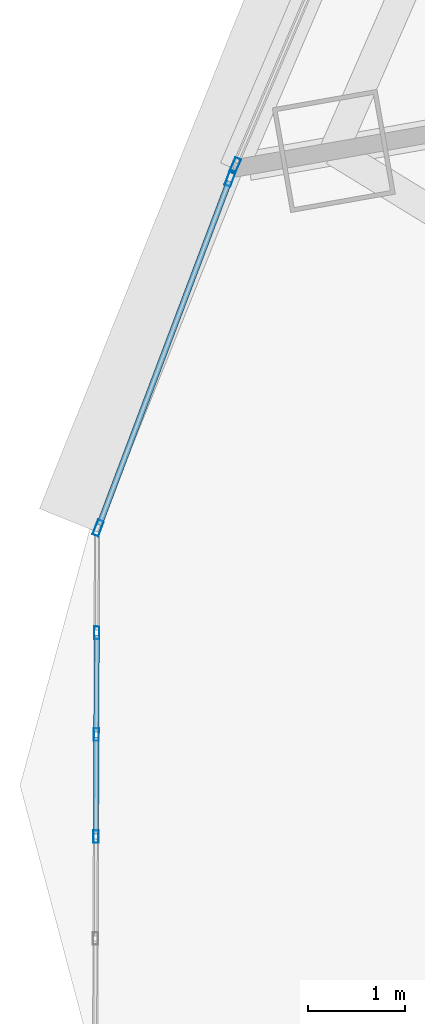
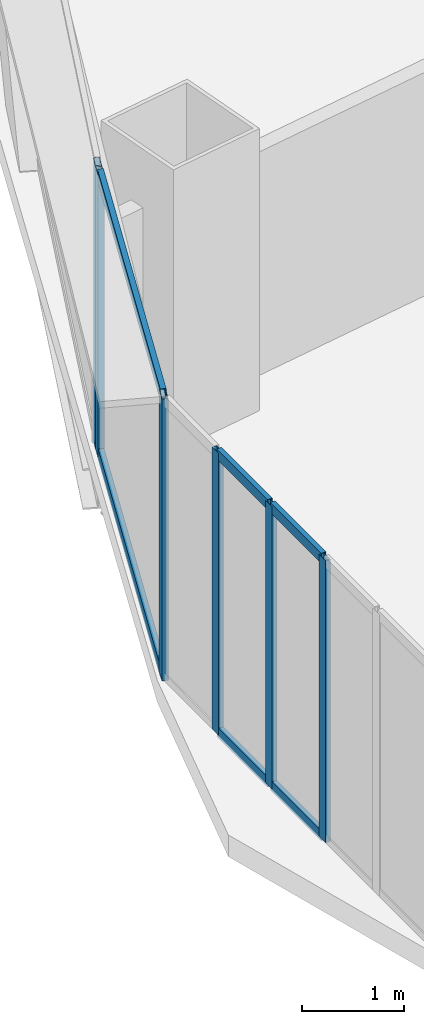
# One storey, part 4 of 40: 12 members, 3 elements without a shape of their own.
"""IFC4 building model written with IfcOpenShell, lengths in metres."""

import ifcopenshell
import ifcopenshell.guid

model = None  # the IFC model being written
_history = None  # IfcOwnerHistory: only IFC2X3 demands one
_inside = {}  # id of a spatial element -> (the spatial element, [elements in it])
_under = {}  # id of a project, library or spatial element -> (it, [spatial elements below it])
_declared = {}  # id of a project -> (the project, [libraries it declares])
_typed = {}  # id of a type object -> (the type object, [elements of that type])
_made_of = {}  # id of a material, layer set ... -> (it, [elements and type objects made of it])


def new_model(schema):
    """Start an empty IFC model of exactly this schema.

    Asked for "IFC4X3", IfcOpenShell would pick the latest addendum, in which some entities
    have other attributes; the version numbers below select the first issue.
    IFC2X3 requires an IfcOwnerHistory on every rooted entity: one is made here for all.
    """
    global model, _history
    if schema == "IFC4X3":
        model = ifcopenshell.file(schema_version=(4, 3, 0, 0))
    else:
        model = ifcopenshell.file(schema=schema)
    _inside.clear()
    _under.clear()
    _declared.clear()
    _typed.clear()
    _made_of.clear()
    _history = None
    if model.schema == "IFC2X3":
        org = make("IfcOrganization", Name="unknown")
        user = make(
            "IfcPersonAndOrganization",
            ThePerson=make("IfcPerson", FamilyName="unknown"),
            TheOrganization=org,
        )
        app = make(
            "IfcApplication",
            ApplicationDeveloper=org,
            Version="unknown",
            ApplicationFullName="unknown",
            ApplicationIdentifier="unknown",
        )
        _history = make(
            "IfcOwnerHistory",
            OwningUser=user,
            OwningApplication=app,
            ChangeAction="ADDED",
            CreationDate=0,
        )
    return model


def make(cls, **values):
    """One entity of the class cls with the attributes given. An attribute that is None is left unset."""
    return model.create_entity(
        cls, **{name: value for name, value in values.items() if value is not None}
    )


def rooted(cls, **values):
    """An entity with a GlobalId (a new one), such as an element, a storey or a relation."""
    return make(cls, GlobalId=ifcopenshell.guid.new(), OwnerHistory=_history, **values)


def si_unit(unit_type, name, prefix=None):
    """IfcSIUnit, for example si_unit("LENGTHUNIT", "METRE", prefix="MILLI")."""
    return make("IfcSIUnit", UnitType=unit_type, Prefix=prefix, Name=name)


def assignment(units):
    """IfcUnitAssignment: the units of a project."""
    return None if units is None else make("IfcUnitAssignment", Units=units)


def point(xyz):
    """IfcCartesianPoint."""
    return None if xyz is None else make("IfcCartesianPoint", Coordinates=xyz)


def direction(xyz):
    """IfcDirection."""
    return None if xyz is None else make("IfcDirection", DirectionRatios=xyz)


def frame(location, z_axis=None, x_axis=None):
    """IfcAxis2Placement3D, a coordinate frame: its origin and axes. An axis left out is left unset."""
    return make(
        "IfcAxis2Placement3D",
        Location=point(location),
        Axis=direction(z_axis),
        RefDirection=direction(x_axis),
    )


def frame_2d(location, x_axis=None):
    """IfcAxis2Placement2D, a coordinate frame in the plane: its origin and x axis."""
    return make(
        "IfcAxis2Placement2D", Location=point(location), RefDirection=direction(x_axis)
    )


def origin():
    """The frame at (0, 0, 0) with its axes left unset."""
    return frame((0.0, 0.0, 0.0))


def origin_2d():
    """The frame at (0, 0) in the plane with its x axis left unset."""
    return frame_2d((0.0, 0.0))


def place(relative_to, where):
    """IfcLocalPlacement: puts the frame where relative to a parent placement (None: the world)."""
    return make(
        "IfcLocalPlacement", PlacementRelTo=relative_to, RelativePlacement=where
    )


def context(
    kind, dimensions, precision=None, world=None, true_north=None, identifier=None
):
    """IfcGeometricRepresentationContext, for example the 3D "Model" context."""
    return make(
        "IfcGeometricRepresentationContext",
        ContextIdentifier=identifier,
        ContextType=kind,
        CoordinateSpaceDimension=dimensions,
        Precision=precision,
        WorldCoordinateSystem=world,
        TrueNorth=true_north,
    )


def subcontext(parent, identifier, kind, view, scale=None):
    """IfcGeometricRepresentationSubContext, for example "Body" below "Model"."""
    return make(
        "IfcGeometricRepresentationSubContext",
        ContextIdentifier=identifier,
        ContextType=kind,
        ParentContext=parent,
        TargetScale=scale,
        TargetView=view,
    )


def project(units=None, contexts=None):
    """IfcProject with its units and contexts."""
    return rooted(
        "IfcProject",
        Name="project",
        RepresentationContexts=contexts,
        UnitsInContext=assignment(units),
    )


def spatial(cls, under=None, at=None, **own):
    """A site, building, storey or space (cls), placed at a placement, below another one or the project."""
    s = rooted(cls, ObjectPlacement=at, **own)
    if under is not None:
        _under.setdefault(under.id(), (under, []))[1].append(s)
    return s


def profile(cls, at=None, kind="AREA", **sizes):
    """A parametric profile (cls). Its sizes go by their IFC names, for example OverallWidth=200.0."""
    return make(cls, ProfileType=kind, Position=at, **sizes)


def hollow_rectangle(**sizes):
    """IfcRectangleHollowProfileDef."""
    return profile("IfcRectangleHollowProfileDef", **sizes)


def extrude(swept, where, along, depth):
    """IfcExtrudedAreaSolid: the profile swept, set in the frame where, extruded along a direction by depth."""
    return make(
        "IfcExtrudedAreaSolid",
        SweptArea=swept,
        Position=where,
        ExtrudedDirection=direction(along),
        Depth=depth,
    )


def shape(context_of_items, identifier, shape_type, items):
    """IfcShapeRepresentation: the items that make up one representation, for example the "Body"."""
    return make(
        "IfcShapeRepresentation",
        ContextOfItems=context_of_items,
        RepresentationIdentifier=identifier,
        RepresentationType=shape_type,
        Items=items,
    )


def source(mapping_origin, context_of_items, identifier, shape_type, items):
    """IfcRepresentationMap: a shape defined once, which mapped items show again and again."""
    return make(
        "IfcRepresentationMap",
        MappingOrigin=mapping_origin,
        MappedRepresentation=shape(context_of_items, identifier, shape_type, items),
    )


def transform(
    local_origin,
    x_axis=None,
    y_axis=None,
    z_axis=None,
    scale=None,
    scale2=None,
    scale3=None,
    uniform=True,
):
    """IfcCartesianTransformationOperator3D, or its non-uniform kind. x_axis, y_axis, z_axis: its Axis1, 2, 3."""
    if uniform:
        return make(
            "IfcCartesianTransformationOperator3D",
            Axis1=direction(x_axis),
            Axis2=direction(y_axis),
            LocalOrigin=point(local_origin),
            Scale=scale,
            Axis3=direction(z_axis),
        )
    return make(
        "IfcCartesianTransformationOperator3DnonUniform",
        Axis1=direction(x_axis),
        Axis2=direction(y_axis),
        LocalOrigin=point(local_origin),
        Scale=scale,
        Axis3=direction(z_axis),
        Scale2=scale2,
        Scale3=scale3,
    )


def mapped(mapping_source, mapping_target):
    """IfcMappedItem: shows the shape of a source again, moved by a transform."""
    return make(
        "IfcMappedItem", MappingSource=mapping_source, MappingTarget=mapping_target
    )


def material(Name=None, Category=None):
    """IfcMaterial."""
    return make("IfcMaterial", Name=Name, Category=Category)


def layer(
    of_material, thickness, ventilated=None, Name=None, Category=None, Priority=None
):
    """IfcMaterialLayer: one layer of a wall or slab, of a material (None: an air gap)."""
    return make(
        "IfcMaterialLayer",
        Material=of_material,
        LayerThickness=thickness,
        IsVentilated=ventilated,
        Name=Name,
        Category=Category,
        Priority=Priority,
    )


def layer_set(layers, Name=None):
    """IfcMaterialLayerSet."""
    return make("IfcMaterialLayerSet", MaterialLayers=layers, LayerSetName=Name)


def material_profile(
    of_material, cross_section, Name=None, Category=None, Priority=None
):
    """IfcMaterialProfile: a cross section and its material."""
    return make(
        "IfcMaterialProfile",
        Name=Name,
        Material=of_material,
        Profile=cross_section,
        Priority=Priority,
        Category=Category,
    )


def profile_set(profiles, Name=None, composite=None):
    """IfcMaterialProfileSet."""
    return make(
        "IfcMaterialProfileSet",
        Name=Name,
        MaterialProfiles=profiles,
        CompositeProfile=composite,
    )


def made_of(thing, what):
    """Note that an element or type object is made of a material, layer set ...; save() writes the relation."""
    if what is not None:
        _made_of.setdefault(what.id(), (what, []))[1].append(thing)
    return thing


def type_object(cls, material=None, **own):
    """A type object (cls), such as IfcWallType, which elements share."""
    return made_of(rooted(cls, **own), material)


def element(
    cls,
    number,
    at=None,
    inside=None,
    cuts=None,
    type_object=None,
    material=None,
    context=None,
    identifier="Body",
    shape_type=None,
    held_by="IfcProductDefinitionShape",
    body=None,
    shapes=None,
    **own,
):
    """One element of the class cls, such as IfcWall. Its Tag is "e" and its number.

    at: its placement. inside: the storey or other place that contains it. cuts: it is an
    opening in that element (IfcRelVoidsElement). A single representation is given by context,
    identifier, shape_type and body (its items); several are given by shapes. held_by: the class
    of the entity that holds the representations. save() writes the other relations.
    """
    e = rooted(cls, Tag="e%d" % number, ObjectPlacement=at, **own)
    if body is not None:
        shapes = [shape(context, identifier, shape_type, body)]
    if shapes is not None:
        e.Representation = make(held_by, Representations=shapes)
    if inside is not None:
        _inside.setdefault(inside.id(), (inside, []))[1].append(e)
    if cuts is not None:
        rooted(
            "IfcRelVoidsElement", RelatingBuildingElement=cuts, RelatedOpeningElement=e
        )
    if type_object is not None:
        _typed.setdefault(type_object.id(), (type_object, []))[1].append(e)
    return made_of(e, material)


def aggregate(whole, parts):
    """IfcRelAggregates: a whole, such as a stair, and the parts it consists of."""
    return rooted("IfcRelAggregates", RelatingObject=whole, RelatedObjects=parts)


def save(model, path):
    """Write the relations noted so far, then the file.

    IfcRelAggregates (storeys below a building ...), IfcRelContainedInSpatialStructure (elements
    in a storey), IfcRelDefinesByType, IfcRelAssociatesMaterial and IfcRelDeclares: one each for
    every whole, place, type object, material and project.
    """
    for whole, parts in _under.values():
        aggregate(whole, parts)
    for where, things in _inside.values():
        rooted(
            "IfcRelContainedInSpatialStructure",
            RelatedElements=things,
            RelatingStructure=where,
        )
    for kind, things in _typed.values():
        rooted("IfcRelDefinesByType", RelatedObjects=things, RelatingType=kind)
    for what, things in _made_of.values():
        rooted("IfcRelAssociatesMaterial", RelatedObjects=things, RelatingMaterial=what)
    for by, libraries in _declared.values():
        rooted("IfcRelDeclares", RelatingContext=by, RelatedDefinitions=libraries)
    model.write(path)


model = new_model("IFC4")

# Units and contexts
model_context = context("Model", 3, precision=1e-05, world=origin(), true_north=direction((0.0, 1.0)))
body_context = subcontext(model_context, "Body", "Model", "MODEL_VIEW")
ifc_project = project(units=[si_unit("LENGTHUNIT", "METRE"), si_unit("AREAUNIT", "SQUARE_METRE"), si_unit("VOLUMEUNIT", "CUBIC_METRE"), si_unit("PLANEANGLEUNIT", "RADIAN"), si_unit("MASSUNIT", "GRAM", prefix="KILO"), si_unit("THERMODYNAMICTEMPERATUREUNIT", "KELVIN"), si_unit("POWERUNIT", "WATT")], contexts=[model_context])

# Site, building, storey
site_placement = place(None, origin())
site = spatial("IfcSite", under=ifc_project, at=site_placement, CompositionType="ELEMENT")
building_placement = place(site_placement, origin())
building = spatial("IfcBuilding", under=site, at=building_placement, Name="Yunzhuo Pagoda Commons", CompositionType="ELEMENT")
storey_placement = place(building_placement, frame((0.0, 0.0, 66.699951171875)))
storey = spatial("IfcBuildingStorey", under=building, at=storey_placement, Name="L17", CompositionType="ELEMENT", Elevation=66.699951171875)

# Curtain wall, member
ifc_material = material(Name="Anodized aluminium 6063-T6", Category="aluminium")
ifc_layer_1 = layer(ifc_material, 0.1650390625)
ifc_layer_set_1 = layer_set([ifc_layer_1], Name="Anodized aluminium 6063-T6")
curtain_wall_type_1 = type_object("IfcCurtainWallType", Name="CW-LOW Low-Zone Ribbon Curtain Wall", PredefinedType="NOTDEFINED", material=ifc_layer_set_1)
curtain_wall_1_placement = place(storey_placement, origin())
curtain_wall_1 = element("IfcCurtainWall", 1, at=curtain_wall_1_placement, inside=storey, type_object=curtain_wall_type_1, Name="L17 curtain wall CW-L17-F3B4", PredefinedType="NOTDEFINED")
ifc_material_profile_1 = material_profile(ifc_material, hollow_rectangle(XDim=0.06494140625, YDim=0.1650390625, WallThickness=0.00390625, at=origin_2d()), Name="Anodized aluminium 6063-T6")
ifc_profile_set_1 = profile_set([ifc_material_profile_1], Name="Anodized aluminium 6063-T6")
member_type_1 = type_object("IfcMemberType", Name="CW-LOW-M Mullion RHS 165x65x4", PredefinedType="MULLION", material=ifc_profile_set_1)
shared_shape_1 = source(origin(), body_context, "Body", "SweptSolid", [
    extrude(hollow_rectangle(XDim=0.06494140625, YDim=0.1650390625, WallThickness=0.00390625, at=origin_2d()), origin(), (0.0, 0.0, 1.0), 3.3701171875),
])
member_1_placement = place(storey_placement, frame((6.93115234375, 26.486083984375, 0.0), z_axis=(0.0, 0.0, 1.0), x_axis=(0.919121093161, -0.39397514656, 0.0)))
member_1 = element("IfcMember", 2, at=member_1_placement, type_object=member_type_1, Name="CW mullion 2", PredefinedType="MULLION", context=body_context, shape_type="MappedRepresentation", body=[
    mapped(shared_shape_1, transform((0.0, 0.0, 0.0), scale=1.0)),
])
aggregate(curtain_wall_1, [member_1])

# Curtain wall, members
curtain_wall_2_placement = place(storey_placement, origin())
curtain_wall_2 = element("IfcCurtainWall", 3, at=curtain_wall_2_placement, inside=storey, type_object=curtain_wall_type_1, Name="L17 curtain wall CW-L17-F3B5", PredefinedType="NOTDEFINED")
member_2_placement = place(storey_placement, frame((6.88037109375, 26.355712890625, 0.0), z_axis=(0.0, 0.0, 1.0), x_axis=(0.9355133863, -0.353291245367, 0.0)))
member_2 = element("IfcMember", 4, at=member_2_placement, type_object=member_type_1, Name="CW mullion 1", PredefinedType="MULLION", context=body_context, shape_type="MappedRepresentation", body=[
    mapped(shared_shape_1, transform((0.0, 0.0, 0.0), scale=1.0)),
])
member_3_placement = place(storey_placement, frame((5.514404296875, 22.738525390625, 0.0), z_axis=(0.0, 0.0, 1.0), x_axis=(0.9355133863, -0.353291245367, 0.0)))
member_3 = element("IfcMember", 5, at=member_3_placement, type_object=member_type_1, Name="CW mullion 2", PredefinedType="MULLION", context=body_context, shape_type="MappedRepresentation", body=[
    mapped(shared_shape_1, transform((0.0, 0.0, 0.0), scale=1.0)),
])

ifc_layer_2 = layer(ifc_material, 0.1298828125)
ifc_layer_set_2 = layer_set([ifc_layer_2], Name="Anodized aluminium 6063-T6")
curtain_wall_type_2 = type_object("IfcCurtainWallType", Name="CW-VTX Rounded Corner Curtain Wall", PredefinedType="NOTDEFINED", material=ifc_layer_set_2)
curtain_wall_3_placement = place(storey_placement, origin())
curtain_wall_3 = element("IfcCurtainWall", 6, at=curtain_wall_3_placement, inside=storey, type_object=curtain_wall_type_2, Name="L17 curtain wall CW-L17-VTX1S1", PredefinedType="NOTDEFINED")
ifc_material_profile_2 = material_profile(ifc_material, hollow_rectangle(XDim=0.054931640625, YDim=0.1298828125, WallThickness=0.00341796875, at=origin_2d()), Name="Anodized aluminium 6063-T6")
ifc_profile_set_2 = profile_set([ifc_material_profile_2], Name="Anodized aluminium 6063-T6")
member_type_2 = type_object("IfcMemberType", Name="CW-VTX-M Mullion RHS 130x55x3.5", PredefinedType="MULLION", material=ifc_profile_set_2)
shared_shape_2 = source(origin(), body_context, "Body", "SweptSolid", [
    extrude(hollow_rectangle(XDim=0.054931640625, YDim=0.1298828125, WallThickness=0.00341796875, at=origin_2d()), origin(), (0.0, 0.0, 1.0), 3.3701171875),
])
member_4_placement = place(storey_placement, frame((5.4990234375, 21.654052734375, 0.0), z_axis=(0.0, 0.0, 1.0), x_axis=(0.999993571837, -0.003585566294, 0.0)))
member_4 = element("IfcMember", 7, at=member_4_placement, type_object=member_type_2, Name="CW mullion 2", PredefinedType="MULLION", context=body_context, shape_type="MappedRepresentation", body=[
    mapped(shared_shape_2, transform((0.0, 0.0, 0.0), scale=1.0)),
])
member_5_placement = place(storey_placement, frame((5.495361328125, 20.60009765625, 0.0), z_axis=(0.0, 0.0, 1.0), x_axis=(0.999993571837, -0.003585566294, 0.0)))
member_5 = element("IfcMember", 8, at=member_5_placement, type_object=member_type_2, Name="CW mullion 3", PredefinedType="MULLION", context=body_context, shape_type="MappedRepresentation", body=[
    mapped(shared_shape_2, transform((0.0, 0.0, 0.0), scale=1.0)),
])
member_6_placement = place(storey_placement, frame((5.491455078125, 19.545654296875, 0.0), z_axis=(0.0, 0.0, 1.0), x_axis=(0.999993571837, -0.003585566294, 0.0)))
member_6 = element("IfcMember", 9, at=member_6_placement, type_object=member_type_2, Name="CW mullion 4", PredefinedType="MULLION", context=body_context, shape_type="MappedRepresentation", body=[
    mapped(shared_shape_2, transform((0.0, 0.0, 0.0), scale=1.0)),
])

# Member
ifc_material_profile_3 = material_profile(ifc_material, hollow_rectangle(XDim=0.06005859375, YDim=0.139892578125, WallThickness=0.00341796875, at=origin_2d()), Name="Anodized aluminium 6063-T6")
ifc_profile_set_3 = profile_set([ifc_material_profile_3], Name="Anodized aluminium 6063-T6")
member_type_3 = type_object("IfcMemberType", Name="CW-LOW-T Transom RHS 140x60x3.5", PredefinedType="USERDEFINED", material=ifc_profile_set_3)
shared_shape_3 = source(origin(), body_context, "Body", "SweptSolid", [
    extrude(hollow_rectangle(XDim=0.06005859375, YDim=0.139892578125, WallThickness=0.00341796875, at=origin_2d()), origin(), (0.0, 0.0, 1.0), 3.80126953125),
])
member_7_placement = place(storey_placement, frame((6.869140625, 26.3251953125, 0.0302734375), z_axis=(-0.353360601845, -0.935487191288, 0.0), x_axis=(0.935487191288, -0.353360601845, 0.0)))
member_7 = element("IfcMember", 10, at=member_7_placement, type_object=member_type_3, Name="CW transom 1.1", ObjectType="TRANSOM", PredefinedType="USERDEFINED", context=body_context, shape_type="MappedRepresentation", body=[
    mapped(shared_shape_3, transform((0.0, 0.0, 0.0), scale=1.0)),
])

member_8_placement = place(storey_placement, frame((6.869140625, 26.3251953125, 3.340087890625), z_axis=(-0.353360601845, -0.935487191288, 0.0), x_axis=(0.935487191288, -0.353360601845, 0.0)))
member_8 = element("IfcMember", 11, at=member_8_placement, type_object=member_type_3, Name="CW transom 1.2", ObjectType="TRANSOM", PredefinedType="USERDEFINED", context=body_context, shape_type="MappedRepresentation", body=[
    mapped(shared_shape_3, transform((0.0, 0.0, 0.0), scale=1.0)),
])

aggregate(curtain_wall_2, [member_2, member_3, member_7, member_8])

ifc_material_profile_4 = material_profile(ifc_material, hollow_rectangle(XDim=0.054931640625, YDim=0.1201171875, WallThickness=0.00341796875, at=origin_2d()), Name="Anodized aluminium 6063-T6")
ifc_profile_set_4 = profile_set([ifc_material_profile_4], Name="Anodized aluminium 6063-T6")
member_type_4 = type_object("IfcMemberType", Name="CW-VTX-T Transom RHS 120x55x3.5", PredefinedType="USERDEFINED", material=ifc_profile_set_4)
shared_shape_4 = source(origin(), body_context, "Body", "SweptSolid", [
    extrude(hollow_rectangle(XDim=0.054931640625, YDim=0.1201171875, WallThickness=0.00341796875, at=origin_2d()), origin(), (0.0, 0.0, 1.0), 0.999267578125),
])
member_9_placement = place(storey_placement, frame((5.4990234375, 21.62646484375, 0.027587890625), z_axis=(-0.00366476894, -0.999993284712, 0.0), x_axis=(0.999993284712, -0.00366476894, 0.0)))
member_9 = element("IfcMember", 12, at=member_9_placement, type_object=member_type_4, Name="CW transom 2.1", ObjectType="TRANSOM", PredefinedType="USERDEFINED", context=body_context, shape_type="MappedRepresentation", body=[
    mapped(shared_shape_4, transform((0.0, 0.0, 0.0), scale=1.0)),
])

member_10_placement = place(storey_placement, frame((5.4990234375, 21.62646484375, 3.3427734375), z_axis=(-0.00366476894, -0.999993284712, 0.0), x_axis=(0.999993284712, -0.00366476894, 0.0)))
member_10 = element("IfcMember", 13, at=member_10_placement, type_object=member_type_4, Name="CW transom 2.2", ObjectType="TRANSOM", PredefinedType="USERDEFINED", context=body_context, shape_type="MappedRepresentation", body=[
    mapped(shared_shape_4, transform((0.0, 0.0, 0.0), scale=1.0)),
])

member_11_placement = place(storey_placement, frame((5.495361328125, 20.572265625, 0.027587890625), z_axis=(-0.00366476894, -0.999993284712, 0.0), x_axis=(0.999993284712, -0.00366476894, 0.0)))
member_11 = element("IfcMember", 14, at=member_11_placement, type_object=member_type_4, Name="CW transom 3.1", ObjectType="TRANSOM", PredefinedType="USERDEFINED", context=body_context, shape_type="MappedRepresentation", body=[
    mapped(shared_shape_4, transform((0.0, 0.0, 0.0), scale=1.0)),
])

member_12_placement = place(storey_placement, frame((5.495361328125, 20.572265625, 3.3427734375), z_axis=(-0.00366476894, -0.999993284712, 0.0), x_axis=(0.999993284712, -0.00366476894, 0.0)))
member_12 = element("IfcMember", 15, at=member_12_placement, type_object=member_type_4, Name="CW transom 3.2", ObjectType="TRANSOM", PredefinedType="USERDEFINED", context=body_context, shape_type="MappedRepresentation", body=[
    mapped(shared_shape_4, transform((0.0, 0.0, 0.0), scale=1.0)),
])

aggregate(curtain_wall_3, [member_4, member_5, member_6, member_9, member_10, member_11, member_12])

save(model, "model.ifc")
